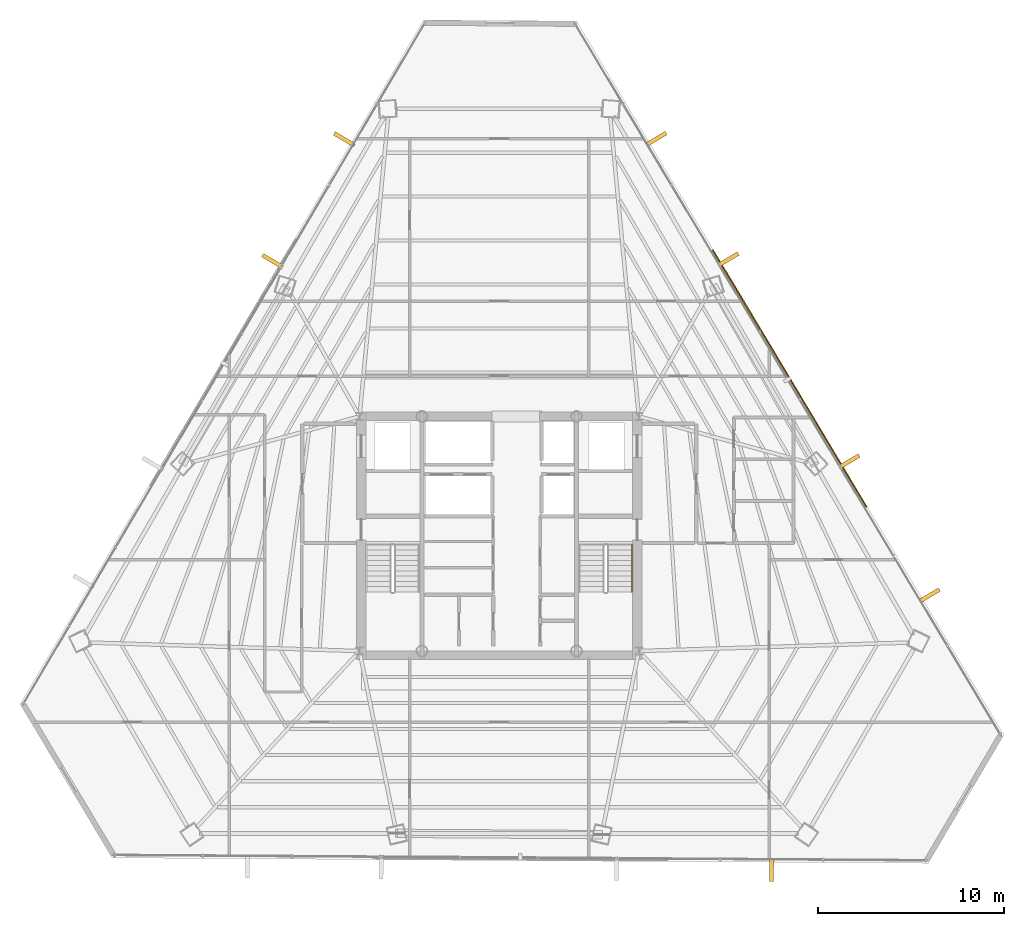
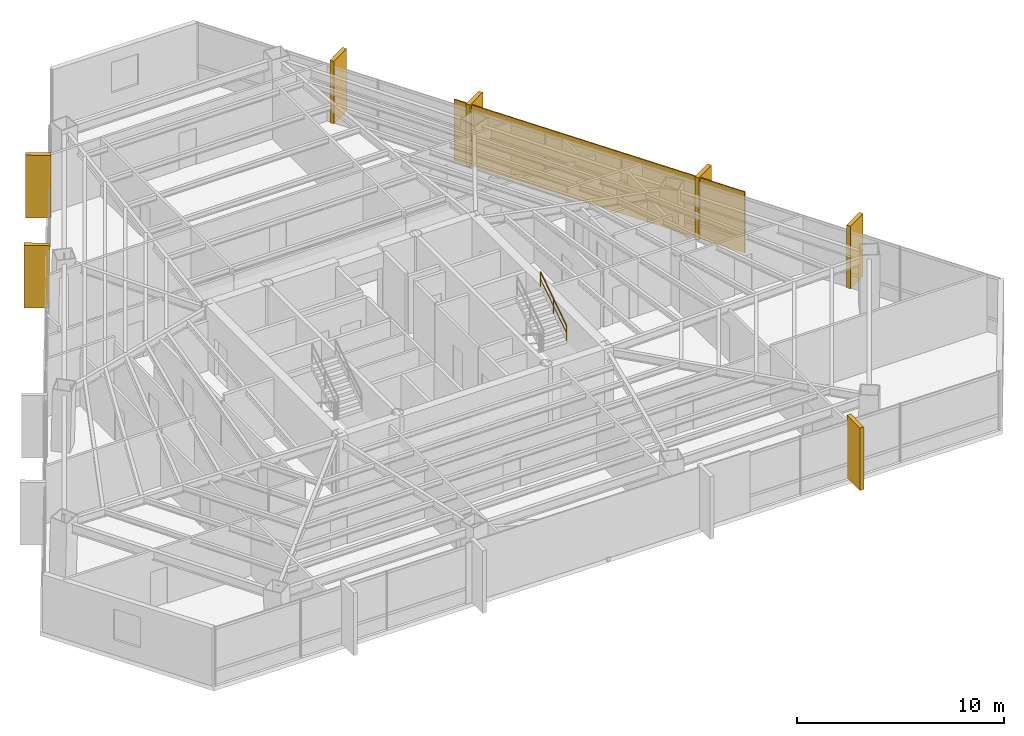
# One storey, part 41 of 41: 7 coverings, 1 railing, 1 shading device.
"""IFC4 building model written with IfcOpenShell, lengths in metres."""

from ifc_helpers import new_model, si_unit, direction, frame, origin, origin_2d, place, context, subcontext, project, spatial, rectangle, extrude, source, transform, mapped, material, layer, layer_set, type_object, type_shapes, element, save


model = new_model("IFC4")

# Units and contexts
model_context = context("Model", 3, precision=1e-05, world=origin(), true_north=direction((0.0, 1.0)))
body_context = subcontext(model_context, "Body", "Model", "MODEL_VIEW")
ifc_project = project(units=[si_unit("LENGTHUNIT", "METRE"), si_unit("AREAUNIT", "SQUARE_METRE"), si_unit("VOLUMEUNIT", "CUBIC_METRE"), si_unit("PLANEANGLEUNIT", "RADIAN"), si_unit("MASSUNIT", "GRAM", prefix="KILO")], contexts=[model_context])

# Site, building, storey
site_placement = place(None, origin())
site = spatial("IfcSite", under=ifc_project, at=site_placement, CompositionType="ELEMENT")
building_placement = place(site_placement, origin())
building = spatial("IfcBuilding", under=site, at=building_placement, Name="Caelisora Broadcast Tower", CompositionType="ELEMENT")
storey_placement = place(building_placement, frame((0.0, 0.0, 165.800048828125)))
storey = spatial("IfcBuildingStorey", under=building, at=storey_placement, Name="L43", CompositionType="ELEMENT", Elevation=165.800048828125)

# Railing
ifc_material_1 = material(Name="Stainless Steel Grade 316 Tubular Handrail", Category="steel")
ifc_layer_1 = layer(ifc_material_1, 0.048095703125, Name="Stainless Steel Grade 316 Tubular Handrail")
ifc_layer_set_1 = layer_set([ifc_layer_1], Name="Stainless Steel Grade 316 Tubular Handrail")
railing_type = type_object("IfcRailingType", Name="HR-1", PredefinedType="HANDRAIL", material=ifc_layer_set_1)
railing_placement = place(storey_placement, frame((45.1298828125, 20.580078125, 2.007568359375)))
element("IfcRailing", 1, at=railing_placement, inside=storey, type_object=railing_type, Name="L43 ST-2 stair handrail 2", PredefinedType="HANDRAIL", context=body_context, shape_type="SweptSolid", body=[
    extrude(rectangle(XDim=0.048095703125, YDim=0.048095703125, at=origin_2d()), frame((0.0, 0.0, 0.8759765625), z_axis=(0.0, 0.837786554691, 0.545997883492), x_axis=(-1.0, 0.0, 0.0)), (0.0, 0.0, 1.0), 3.008056640625),
    extrude(rectangle(XDim=0.03125, YDim=0.03125, at=origin_2d()), frame((0.0, 0.0, 0.449951171875), z_axis=(0.0, 0.837786554691, 0.545997883492), x_axis=(-1.0, 0.0, 0.0)), (0.0, 0.0, 1.0), 3.008056640625),
    extrude(rectangle(XDim=0.0419921875, YDim=0.0419921875, at=origin_2d()), origin(), (0.0, 0.0, 1.0), 0.851806640625),
    extrude(rectangle(XDim=0.0419921875, YDim=0.0419921875, at=origin_2d()), frame((0.0, 1.260009765625, 0.8212890625)), (0.0, 0.0, 1.0), 0.851806640625),
    extrude(rectangle(XDim=0.0419921875, YDim=0.0419921875, at=origin_2d()), frame((0.0, 2.52001953125, 1.642333984375)), (0.0, 0.0, 1.0), 0.851806640625),
])

# Coverings
ifc_material_2 = material(Name="Kiln-Fired Terracotta Spandrel Rainscreen Cladding", Category="ceramic")
ifc_layer_2 = layer(ifc_material_2, 0.044921875, Name="Kiln-Fired Terracotta Spandrel Rainscreen Cladding")
ifc_layer_set_2 = layer_set([ifc_layer_2], Name="Kiln-Fired Terracotta Spandrel Rainscreen Cladding")
covering_type = type_object("IfcCoveringType", Name="CL-1", PredefinedType="CLADDING", material=ifc_layer_set_2)
shared_shape_1 = source(origin(), body_context, "Body", "SweptSolid", [
    extrude(rectangle(XDim=0.219970703125, YDim=1.25, at=origin_2d()), origin(), (0.0, 0.0, 1.0), 3.68994140625),
])
type_shapes(covering_type, [shared_shape_1])
for number, where, z_axis, x_axis, name in (
    (2, (46.4287109375, 44.90234375, -0.02001953125), (0.0, 0.0, 1.0), (0.513541252058, -0.858064905724, 0.0), "L43 vertical solar fin cladding #1-1"),
    (3, (50.302978515625, 38.429931640625, -0.02001953125), (0.0, 0.0, 1.0), (0.513541252058, -0.858064905724, 0.0), "L43 vertical solar fin cladding #1-2"),
    (4, (56.797607421875, 27.580810546875, -0.02001953125), (0.0, 0.0, 1.0), (0.513541252058, -0.858064905724, 0.0), "L43 vertical solar fin cladding #1-3"),
    (5, (61.107421875, 20.380615234375, -0.02001953125), (0.0, 0.0, 1.0), (0.513541252058, -0.858064905724, 0.0), "L43 vertical solar fin cladding #1-4"),
    (6, (52.634033203125, 5.645751953125, -0.02001953125), (0.0, 0.0, 1.0), (-0.999978006703, 0.006632202536, 0.0), "L43 vertical solar fin cladding #2-1"),
    (7, (25.82421875, 38.343994140625, -0.02001953125), (0.0, 0.0, 1.0), (0.507989441341, 0.861363295878, 0.0), "L43 vertical solar fin cladding #3-3"),
    (8, (29.680908203125, 44.8837890625, -0.02001953125), (0.0, 0.0, 1.0), (0.507989441341, 0.861363295878, 0.0), "L43 vertical solar fin cladding #3-4"),
):
    element("IfcCovering", number, at=place(storey_placement, frame(where, z_axis=z_axis, x_axis=x_axis)), inside=storey, type_object=covering_type, Name=name, PredefinedType="CLADDING", context=body_context, shape_type="MappedRepresentation", body=[
        mapped(shared_shape_1, transform((0.0, 0.0, 0.0), scale=1.0)),
    ])

# Shading device
ifc_material_3 = material(Name="Perforated Glazed Terracotta Baguette Solar Screen", Category="ceramic")
ifc_layer_3 = layer(ifc_material_3, 0.06494140625, Name="Perforated Glazed Terracotta Baguette Solar Screen")
ifc_layer_set_3 = layer_set([ifc_layer_3], Name="Perforated Glazed Terracotta Baguette Solar Screen")
shading_device_type = type_object("IfcShadingDeviceType", Name="SS-1", PredefinedType="USERDEFINED", material=ifc_layer_set_3)
shared_shape_2 = source(origin(), body_context, "Body", "SweptSolid", [
    extrude(rectangle(XDim=16.0869140625, YDim=0.06494140625, at=origin_2d()), origin(), (0.0, 0.0, 1.0), 3.590087890625),
])
type_shapes(shading_device_type, [shared_shape_2])
shading_device_placement = place(storey_placement, frame((53.6005859375, 32.04443359375, 0.0), z_axis=(0.0, 0.0, 1.0), x_axis=(-0.513691004814, 0.857975262798, 0.0)))
element("IfcShadingDevice", 9, at=shading_device_placement, inside=storey, type_object=shading_device_type, Name="L43 perforated terracotta solar screen #3", ObjectType="SOLAR SCREEN", PredefinedType="USERDEFINED", context=body_context, shape_type="MappedRepresentation", body=[
    mapped(shared_shape_2, transform((0.0, 0.0, 0.0), scale=1.0)),
])

save(model, "model.ifc")
